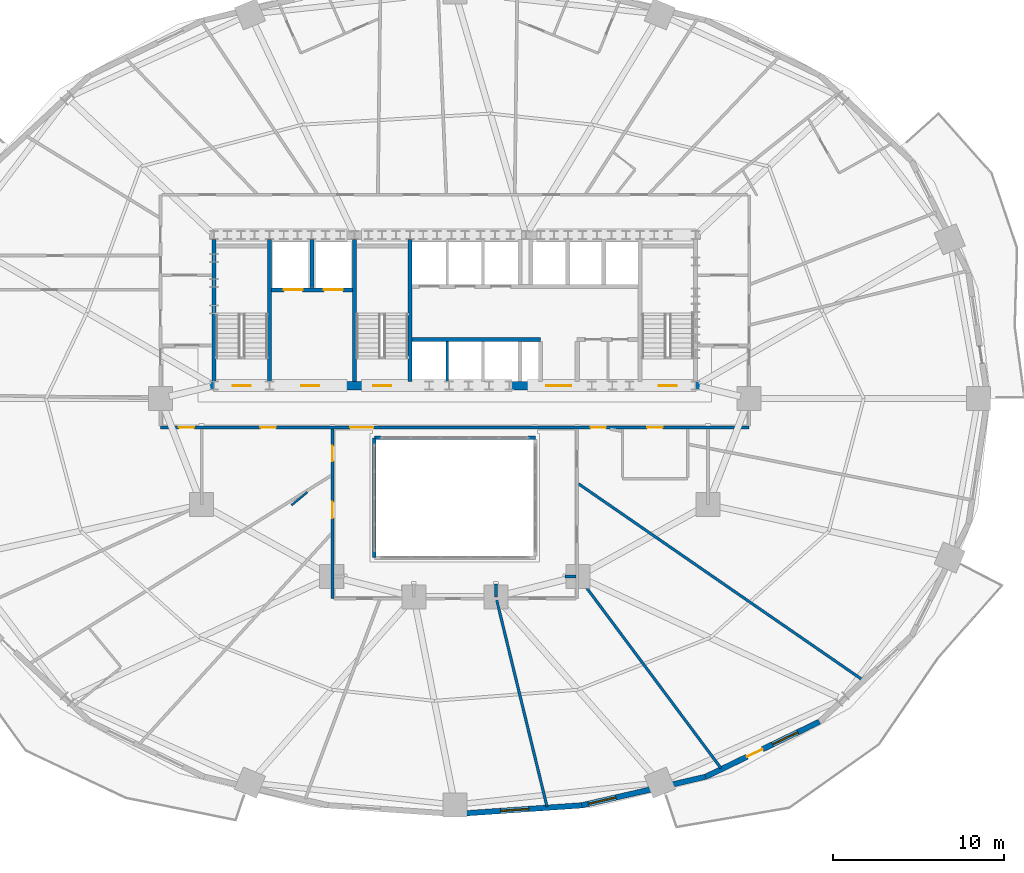
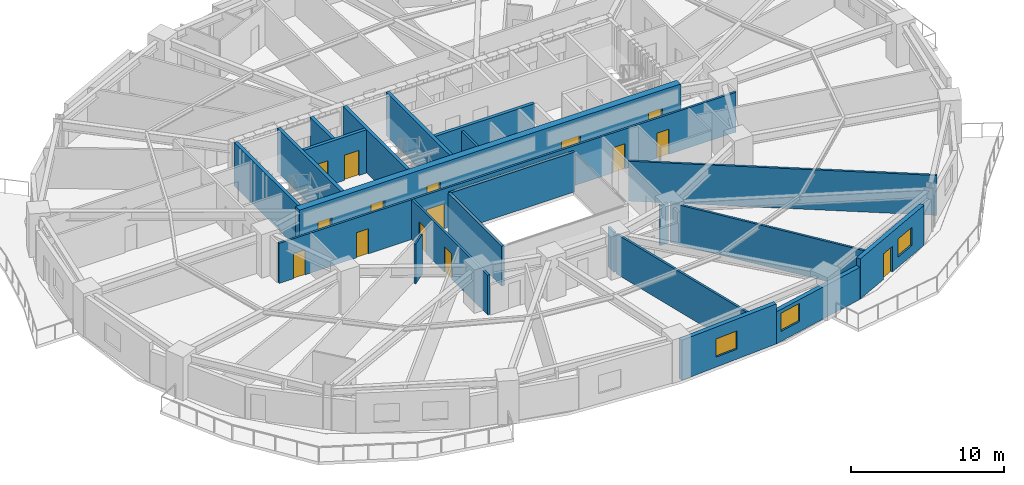
# One storey, part 9 of 16: 22 walls, 15 doors, 3 windows, 18 openings.
"""IFC4 building model written with IfcOpenShell, lengths in metres."""

from ifc_helpers import new_model, si_unit, direction, frame, frame_2d, origin, place, context, subcontext, project, spatial, rectangle, extrude, material, layer, layer_set, type_object, element, fill, save


model = new_model("IFC4")

# Units and contexts
model_context = context("Model", 3, precision=1e-05, world=origin(), true_north=direction((0.0, 1.0)))
body_context = subcontext(model_context, "Body", "Model", "MODEL_VIEW")
ifc_project = project(units=[si_unit("LENGTHUNIT", "METRE"), si_unit("AREAUNIT", "SQUARE_METRE"), si_unit("VOLUMEUNIT", "CUBIC_METRE"), si_unit("PLANEANGLEUNIT", "RADIAN"), si_unit("MASSUNIT", "GRAM", prefix="KILO")], contexts=[model_context])

# Site, building, storey
site_placement = place(None, origin())
site = spatial("IfcSite", under=ifc_project, at=site_placement, CompositionType="ELEMENT")
building_placement = place(site_placement, origin())
building = spatial("IfcBuilding", under=site, at=building_placement, Name="Haldorwick Loom Tower", CompositionType="ELEMENT")
storey_placement = place(building_placement, frame((0.0, 0.0, 68.85009765625)))
storey = spatial("IfcBuildingStorey", under=building, at=storey_placement, Name="L18", CompositionType="ELEMENT", Elevation=68.85009765625)

# Wall, opening, window
ifc_material_1 = material(Name="Pressed Clay Face Brick and Insulated Masonry Backup Assembly", Category="masonry")
ifc_layer_1 = layer(ifc_material_1, 0.320068359375, Name="Pressed Clay Face Brick and Insulated Masonry Backup Assembly", Category="masonry")
ifc_layer_set_1 = layer_set([ifc_layer_1], Name="Pressed Clay Face Brick and Insulated Masonry Backup Assembly")
wall_type_1 = type_object("IfcWallType", Name="ARC-WL-EXT320", PredefinedType="STANDARD", material=ifc_layer_set_1)
wall_1_placement = place(storey_placement, frame((36.0, 1.7099609375, 0.0), z_axis=(0.0, 0.0, 1.0), x_axis=(0.997645161917, 0.068586667092, 0.0)))
wall_1 = element("IfcWall", 1, at=wall_1_placement, inside=storey, type_object=wall_type_1, Name="L18 Brick Pier and Spandrel Wall 19", PredefinedType="STANDARD", context=body_context, shape_type="SweptSolid", body=[
    extrude(rectangle(XDim=7.428955078125, YDim=0.320068359375, at=frame_2d((3.71435546875, 0.0))), origin(), (0.0, 0.0, 1.0), 3.18994140625),
])
opening_1_placement = place(wall_1_placement, frame((2.679443359375, 0.0, 0.800048828125)))
opening_1 = element("IfcOpeningElement", 2, at=opening_1_placement, cuts=wall_1, Name="Opening W-01B", PredefinedType="OPENING", context=body_context, shape_type="SweptSolid", body=[
    extrude(rectangle(XDim=1.64990234375, YDim=1.449951171875, at=frame_2d((0.824951171875, 0.72509765625))), frame((0.0, 0.169921875, 0.0), z_axis=(0.0, -1.0, 0.0), x_axis=(1.0, 0.0, 0.0)), (0.0, 0.0, 1.0), 0.340087890625),
])
ifc_material_2 = material(Name="Triple-Glazed Low-E Argon Insulated Glazing Unit", Category="glass")
window_type = type_object("IfcWindowType", Name="ARC-WIN-W165", PartitioningType="SINGLE_PANEL", PredefinedType="WINDOW", material=ifc_material_2)
window_1_placement = place(opening_1_placement, origin())
window_1 = element("IfcWindow", 3, at=window_1_placement, inside=storey, type_object=window_type, Name="L18 Deep-Set Zone 7A Window 19", OverallHeight=1.449951171875, OverallWidth=1.64990234375, PartitioningType="SINGLE_PANEL", PredefinedType="WINDOW", context=body_context, shape_type="SweptSolid", body=[
    extrude(rectangle(XDim=1.64990234375, YDim=1.449951171875, at=frame_2d((0.824951171875, 0.72509765625))), frame((0.0, 0.030029296875, 0.0), z_axis=(0.0, -1.0, 0.0), x_axis=(1.0, 0.0, 0.0)), (0.0, 0.0, 1.0), 0.06005859375),
])
fill(opening_1, window_1)

wall_2_placement = place(storey_placement, frame((43.411376953125, 2.219482421875, 0.0), z_axis=(0.0, 0.0, 1.0), x_axis=(0.974522412345, 0.224290142088, 0.0)))
wall_2 = element("IfcWall", 4, at=wall_2_placement, inside=storey, type_object=wall_type_1, Name="L18 Brick Pier and Spandrel Wall 20", PredefinedType="STANDARD", context=body_context, shape_type="SweptSolid", body=[
    extrude(rectangle(XDim=7.422607421875, YDim=0.320068359375, at=frame_2d((3.71142578125, 0.0))), origin(), (0.0, 0.0, 1.0), 2.548828125),
])
opening_2_placement = place(wall_2_placement, frame((0.39990234375, 0.0, 0.800048828125)))
opening_2 = element("IfcOpeningElement", 5, at=opening_2_placement, cuts=wall_2, Name="Opening W-01B", PredefinedType="OPENING", context=body_context, shape_type="SweptSolid", body=[
    extrude(rectangle(XDim=1.64990234375, YDim=1.449951171875, at=frame_2d((0.824951171875, 0.72509765625))), frame((0.0, 0.169921875, 0.0), z_axis=(0.0, -1.0, 0.0), x_axis=(1.0, 0.0, 0.0)), (0.0, 0.0, 1.0), 0.340087890625),
])
window_2_placement = place(opening_2_placement, origin())
window_2 = element("IfcWindow", 6, at=window_2_placement, inside=storey, type_object=window_type, Name="L18 Deep-Set Zone 7A Window 20", OverallHeight=1.449951171875, OverallWidth=1.64990234375, PartitioningType="SINGLE_PANEL", PredefinedType="WINDOW", context=body_context, shape_type="SweptSolid", body=[
    extrude(rectangle(XDim=1.64990234375, YDim=1.449951171875, at=frame_2d((0.824951171875, 0.72509765625))), frame((0.0, 0.030029296875, 0.0), z_axis=(0.0, -1.0, 0.0), x_axis=(1.0, 0.0, 0.0)), (0.0, 0.0, 1.0), 0.06005859375),
])
fill(opening_2, window_2)

# Wall, openings, door, window
wall_3_placement = place(storey_placement, frame((50.644775390625, 3.88427734375, 0.0), z_axis=(0.0, 0.0, 1.0), x_axis=(0.900295710431, 0.435278800057, 0.0)))
wall_3 = element("IfcWall", 7, at=wall_3_placement, inside=storey, type_object=wall_type_1, Name="L18 Brick Pier and Spandrel Wall 21", PredefinedType="STANDARD", context=body_context, shape_type="SweptSolid", body=[
    extrude(rectangle(XDim=7.39697265625, YDim=0.320068359375, at=frame_2d((3.698486328125, 0.0))), origin(), (0.0, 0.0, 1.0), 3.18994140625),
])
opening_3_placement = place(wall_3_placement, frame((2.705322265625, 0.0, 0.0)))
opening_3 = element("IfcOpeningElement", 8, at=opening_3_placement, cuts=wall_3, Name="Opening D-BL10", PredefinedType="OPENING", context=body_context, shape_type="SweptSolid", body=[
    extrude(rectangle(XDim=1.0, YDim=2.0400390625, at=frame_2d((0.5, 1.02001953125))), frame((0.0, 0.169921875, 0.0), z_axis=(0.0, -1.0, 0.0), x_axis=(1.0, 0.0, 0.0)), (0.0, 0.0, 1.0), 0.340087890625),
])
opening_4_placement = place(wall_3_placement, frame((4.352783203125, 0.0, 0.800048828125)))
opening_4 = element("IfcOpeningElement", 9, at=opening_4_placement, cuts=wall_3, Name="Opening W-01B", PredefinedType="OPENING", context=body_context, shape_type="SweptSolid", body=[
    extrude(rectangle(XDim=1.64990234375, YDim=1.449951171875, at=frame_2d((0.824951171875, 0.72509765625))), frame((0.0, 0.169921875, 0.0), z_axis=(0.0, -1.0, 0.0), x_axis=(1.0, 0.0, 0.0)), (0.0, 0.0, 1.0), 0.340087890625),
])
ifc_material_3 = material(Name="Thermally Broken Anodized Aluminium Curtain Wall Framing", Category="aluminium")
door_type_1 = type_object("IfcDoorType", Name="ARC-DR-BAL100", OperationType="NOTDEFINED", PredefinedType="DOOR", material=ifc_material_3)
door_1_placement = place(opening_3_placement, origin())
door_1 = element("IfcDoor", 10, at=door_1_placement, inside=storey, type_object=door_type_1, Name="L18 Outdoor Terrace Door SLB-L18-BAL_SE", OperationType="SINGLE_SWING_RIGHT", OverallHeight=2.0400390625, OverallWidth=1.0, PredefinedType="DOOR", context=body_context, shape_type="SweptSolid", body=[
    extrude(rectangle(XDim=1.0, YDim=2.0400390625, at=frame_2d((0.5, 1.02001953125))), frame((0.0, 0.02490234375, 0.0), z_axis=(0.0, -1.0, 0.0), x_axis=(1.0, 0.0, 0.0)), (0.0, 0.0, 1.0), 0.050048828125),
])
fill(opening_3, door_1)
window_3_placement = place(opening_4_placement, origin())
window_3 = element("IfcWindow", 11, at=window_3_placement, inside=storey, type_object=window_type, Name="L18 Deep-Set Zone 7A Window 21", OverallHeight=1.449951171875, OverallWidth=1.64990234375, PartitioningType="SINGLE_PANEL", PredefinedType="WINDOW", context=body_context, shape_type="SweptSolid", body=[
    extrude(rectangle(XDim=1.64990234375, YDim=1.449951171875, at=frame_2d((0.824951171875, 0.72509765625))), frame((0.0, 0.030029296875, 0.0), z_axis=(0.0, -1.0, 0.0), x_axis=(1.0, 0.0, 0.0)), (0.0, 0.0, 1.0), 0.06005859375),
])
fill(opening_4, window_3)

# Wall, openings, doors
ifc_material_4 = material(Name="Fire-Rated Type X Gypsum Stud Assembly EI 60")
ifc_layer_2 = layer(ifc_material_4, 0.159912109375, Name="Fire-Rated Type X Gypsum Stud Assembly EI 60")
ifc_layer_set_2 = layer_set([ifc_layer_2], Name="Fire-Rated Type X Gypsum Stud Assembly EI 60")
wall_type_2 = type_object("IfcWallType", Name="ARC-WL-FIRE160", PredefinedType="PARTITIONING", material=ifc_layer_set_2)
wall_4_placement = place(storey_placement, frame((18.800048828125, 24.300048828125, 0.0), z_axis=(0.0, 0.0, 1.0), x_axis=(1.0, 0.0, 0.0)))
wall_4 = element("IfcWall", 12, at=wall_4_placement, inside=storey, type_object=wall_type_2, Name="L18 Residential Fire Partition L18-CR-SP", PredefinedType="PARTITIONING", context=body_context, shape_type="SweptSolid", body=[
    extrude(rectangle(XDim=34.39990234375, YDim=0.159912109375, at=frame_2d((17.199951171875, 0.0))), origin(), (0.0, 0.0, 1.0), 3.1748046875),
])
opening_5_placement = place(wall_4_placement, frame((11.085693359375, 0.0, 0.0)))
opening_5 = element("IfcOpeningElement", 13, at=opening_5_placement, cuts=wall_4, Name="Opening D-CR15", PredefinedType="OPENING", context=body_context, shape_type="SweptSolid", body=[
    extrude(rectangle(XDim=1.35009765625, YDim=2.0, at=frame_2d((0.675048828125, 1.0))), frame((0.0, 0.08984375, 0.0), z_axis=(0.0, -1.0, 0.0), x_axis=(1.0, 0.0, 0.0)), (0.0, 0.0, 1.0), 0.179931640625),
])
opening_6_placement = place(wall_4_placement, frame((5.834716796875, 0.0, 0.0)))
opening_6 = element("IfcOpeningElement", 14, at=opening_6_placement, cuts=wall_4, Name="Opening D-FD60A", PredefinedType="OPENING", context=body_context, shape_type="SweptSolid", body=[
    extrude(rectangle(XDim=0.89990234375, YDim=2.0, at=frame_2d((0.449951171875, 1.0))), frame((0.0, 0.08984375, 0.0), z_axis=(0.0, -1.0, 0.0), x_axis=(1.0, 0.0, 0.0)), (0.0, 0.0, 1.0), 0.179931640625),
])
opening_7_placement = place(wall_4_placement, frame((28.437255859375, 0.0, 0.0)))
opening_7 = element("IfcOpeningElement", 15, at=opening_7_placement, cuts=wall_4, Name="Opening D-FD60A", PredefinedType="OPENING", context=body_context, shape_type="SweptSolid", body=[
    extrude(rectangle(XDim=0.89990234375, YDim=2.0, at=frame_2d((0.449951171875, 1.0))), frame((0.0, 0.08984375, 0.0), z_axis=(0.0, -1.0, 0.0), x_axis=(1.0, 0.0, 0.0)), (0.0, 0.0, 1.0), 0.179931640625),
])
opening_8_placement = place(wall_4_placement, frame((25.12939453125, 0.0, 0.0)))
opening_8 = element("IfcOpeningElement", 16, at=opening_8_placement, cuts=wall_4, Name="Opening D-FD60A", PredefinedType="OPENING", context=body_context, shape_type="SweptSolid", body=[
    extrude(rectangle(XDim=0.89990234375, YDim=2.0, at=frame_2d((0.449951171875, 1.0))), frame((0.0, 0.08984375, 0.0), z_axis=(0.0, -1.0, 0.0), x_axis=(1.0, 0.0, 0.0)), (0.0, 0.0, 1.0), 0.179931640625),
])
opening_9_placement = place(wall_4_placement, frame((1.063232421875, 0.0, 0.0)))
opening_9 = element("IfcOpeningElement", 17, at=opening_9_placement, cuts=wall_4, Name="Opening D-FD60A", PredefinedType="OPENING", context=body_context, shape_type="SweptSolid", body=[
    extrude(rectangle(XDim=0.89990234375, YDim=2.0, at=frame_2d((0.449951171875, 1.0))), frame((0.0, 0.08984375, 0.0), z_axis=(0.0, -1.0, 0.0), x_axis=(1.0, 0.0, 0.0)), (0.0, 0.0, 1.0), 0.179931640625),
])
ifc_material_5 = material(Name="Thermally Broken Anodized Aluminium and Tempered Glass", Category="aluminium")
door_type_2 = type_object("IfcDoorType", Name="ARC-DR-COR150", OperationType="NOTDEFINED", PredefinedType="DOOR", material=ifc_material_5)
door_2_placement = place(opening_5_placement, origin())
door_2 = element("IfcDoor", 18, at=door_2_placement, inside=storey, type_object=door_type_2, Name="L18 L18 Central Residential Corridor to L18 South Atrium Corridor Door", OperationType="DOUBLE_DOOR_SINGLE_SWING", OverallHeight=2.0, OverallWidth=1.35009765625, PredefinedType="DOOR", context=body_context, shape_type="SweptSolid", body=[
    extrude(rectangle(XDim=1.35009765625, YDim=2.0, at=frame_2d((0.675048828125, 1.0))), frame((0.0, 0.02490234375, 0.0), z_axis=(0.0, -1.0, 0.0), x_axis=(1.0, 0.0, 0.0)), (0.0, 0.0, 1.0), 0.050048828125),
])
fill(opening_5, door_2)
ifc_material_6 = material(Name="Hollow Steel Fire Door Assembly", Category="steel")
door_type_3 = type_object("IfcDoorType", Name="ARC-DR-FD60-90", OperationType="NOTDEFINED", PredefinedType="DOOR", material=ifc_material_6)
door_3_placement = place(opening_6_placement, origin())
door_3 = element("IfcDoor", 19, at=door_3_placement, inside=storey, type_object=door_type_3, Name="L18 L18 Central Residential Corridor to Community Library Hall 4 Door", OperationType="SINGLE_SWING_LEFT", OverallHeight=2.0, OverallWidth=0.89990234375, PredefinedType="DOOR", context=body_context, shape_type="SweptSolid", body=[
    extrude(rectangle(XDim=0.89990234375, YDim=2.0, at=frame_2d((0.449951171875, 1.0))), frame((0.0, 0.02490234375, 0.0), z_axis=(0.0, -1.0, 0.0), x_axis=(1.0, 0.0, 0.0)), (0.0, 0.0, 1.0), 0.050048828125),
])
fill(opening_6, door_3)
door_4_placement = place(opening_7_placement, origin())
door_4 = element("IfcDoor", 20, at=door_4_placement, inside=storey, type_object=door_type_3, Name="L18 L18 Central Residential Corridor to Common Accessible WC Door", OperationType="SINGLE_SWING_LEFT", OverallHeight=2.0, OverallWidth=0.89990234375, PredefinedType="DOOR", context=body_context, shape_type="SweptSolid", body=[
    extrude(rectangle(XDim=0.89990234375, YDim=2.0, at=frame_2d((0.449951171875, 1.0))), frame((0.0, 0.02490234375, 0.0), z_axis=(0.0, -1.0, 0.0), x_axis=(1.0, 0.0, 0.0)), (0.0, 0.0, 1.0), 0.050048828125),
])
fill(opening_7, door_4)
door_5_placement = place(opening_8_placement, origin())
door_5 = element("IfcDoor", 21, at=door_5_placement, inside=storey, type_object=door_type_3, Name="L18 L18 Central Residential Corridor to Community Library Hall 19 Door", OperationType="SINGLE_SWING_RIGHT", OverallHeight=2.0, OverallWidth=0.89990234375, PredefinedType="DOOR", context=body_context, shape_type="SweptSolid", body=[
    extrude(rectangle(XDim=0.89990234375, YDim=2.0, at=frame_2d((0.449951171875, 1.0))), frame((0.0, 0.02490234375, 0.0), z_axis=(0.0, -1.0, 0.0), x_axis=(1.0, 0.0, 0.0)), (0.0, 0.0, 1.0), 0.050048828125),
])
fill(opening_8, door_5)
door_6_placement = place(opening_9_placement, origin())
door_6 = element("IfcDoor", 22, at=door_6_placement, inside=storey, type_object=door_type_3, Name="L18 L18 Central Residential Corridor to Community Library Hall 2 Door", OperationType="SINGLE_SWING_LEFT", OverallHeight=2.0, OverallWidth=0.89990234375, PredefinedType="DOOR", context=body_context, shape_type="SweptSolid", body=[
    extrude(rectangle(XDim=0.89990234375, YDim=2.0, at=frame_2d((0.449951171875, 1.0))), frame((0.0, 0.02490234375, 0.0), z_axis=(0.0, -1.0, 0.0), x_axis=(1.0, 0.0, 0.0)), (0.0, 0.0, 1.0), 0.050048828125),
])
fill(opening_9, door_6)

wall_5_placement = place(storey_placement, frame((28.85009765625, 14.300048828125, 0.0), z_axis=(0.0, 0.0, 1.0), x_axis=(0.0, 1.0, 0.0)))
wall_5 = element("IfcWall", 23, at=wall_5_placement, inside=storey, type_object=wall_type_2, Name="L18 Residential Fire Partition L18-CR-AW", PredefinedType="PARTITIONING", context=body_context, shape_type="SweptSolid", body=[
    extrude(rectangle(XDim=9.9169921875, YDim=0.159912109375, at=frame_2d((4.95849609375, 0.0))), origin(), (0.0, 0.0, 1.0), 3.1748046875),
])
opening_10_placement = place(wall_5_placement, frame((4.703857421875, 0.0, 0.0)))
opening_10 = element("IfcOpeningElement", 24, at=opening_10_placement, cuts=wall_5, Name="Opening D-FL95", PredefinedType="OPENING", context=body_context, shape_type="SweptSolid", body=[
    extrude(rectangle(XDim=0.949951171875, YDim=2.0400390625, at=frame_2d((0.47509765625, 1.02001953125))), frame((0.0, 0.08984375, 0.0), z_axis=(0.0, -1.0, 0.0), x_axis=(1.0, 0.0, 0.0)), (0.0, 0.0, 1.0), 0.179931640625),
])
opening_11_placement = place(wall_5_placement, frame((8.034423828125, 0.0, 0.0)))
opening_11 = element("IfcOpeningElement", 25, at=opening_11_placement, cuts=wall_5, Name="Opening D-FD60A", PredefinedType="OPENING", context=body_context, shape_type="SweptSolid", body=[
    extrude(rectangle(XDim=0.89990234375, YDim=2.0, at=frame_2d((0.449951171875, 1.0))), frame((0.0, 0.08984375, 0.0), z_axis=(0.0, -1.0, 0.0), x_axis=(1.0, 0.0, 0.0)), (0.0, 0.0, 1.0), 0.179931640625),
])
door_7_placement = place(opening_11_placement, frame((0.89990234375, 0.0, 0.0), z_axis=(0.0, 0.0, 1.0), x_axis=(-1.0, 0.0, 0.0)))
door_7 = element("IfcDoor", 26, at=door_7_placement, inside=storey, type_object=door_type_3, Name="L18 Community Library Hall 4 to L18 South Atrium Corridor Door", OperationType="SINGLE_SWING_RIGHT", OverallHeight=2.0, OverallWidth=0.89990234375, PredefinedType="DOOR", context=body_context, shape_type="SweptSolid", body=[
    extrude(rectangle(XDim=0.89990234375, YDim=2.0, at=frame_2d((0.449951171875, 1.0))), frame((0.0, 0.02490234375, 0.0), z_axis=(0.0, -1.0, 0.0), x_axis=(1.0, 0.0, 0.0)), (0.0, 0.0, 1.0), 0.050048828125),
])
fill(opening_11, door_7)
ifc_material_7 = material(Name="Solid Core Birch Architectural Door")
door_type_4 = type_object("IfcDoorType", Name="ARC-DR-FLAT95", OperationType="NOTDEFINED", PredefinedType="DOOR", material=ifc_material_7)
door_8_placement = place(opening_10_placement, frame((0.949951171875, 0.0, 0.0), z_axis=(0.0, 0.0, 1.0), x_axis=(-1.0, 0.0, 0.0)))
door_8 = element("IfcDoor", 27, at=door_8_placement, inside=storey, type_object=door_type_4, Name="L18 Unit 18H Kitchen and Studio Living Room to L18 South Atrium Corridor", OperationType="SINGLE_SWING_RIGHT", OverallHeight=2.0400390625, OverallWidth=0.949951171875, PredefinedType="DOOR", context=body_context, shape_type="SweptSolid", body=[
    extrude(rectangle(XDim=0.949951171875, YDim=2.0400390625, at=frame_2d((0.47509765625, 1.02001953125))), frame((0.0, 0.02490234375, 0.0), z_axis=(0.0, -1.0, 0.0), x_axis=(1.0, 0.0, 0.0)), (0.0, 0.0, 1.0), 0.050048828125),
])
fill(opening_10, door_8)

# Walls
wall_6_placement = place(storey_placement, frame((43.23291015625, 15.5556640625, 0.0), z_axis=(0.0, 0.0, 1.0), x_axis=(0.597561371266, -0.801823177247, 0.0)))
element("IfcWall", 28, at=wall_6_placement, inside=storey, type_object=wall_type_2, Name="L18 Residential Fire Partition L18-ICR-03", PredefinedType="PARTITIONING", context=body_context, shape_type="SweptSolid", body=[
    extrude(rectangle(XDim=13.919677734375, YDim=0.159912109375, at=frame_2d((6.9599609375, 0.0))), origin(), (0.0, 0.0, 1.0), 3.1748046875),
])
wall_7_placement = place(storey_placement, frame((38.444580078125, 14.217041015625, 0.0), z_axis=(0.0, 0.0, 1.0), x_axis=(0.236659428626, -0.9715926692, 0.0)))
element("IfcWall", 29, at=wall_7_placement, inside=storey, type_object=wall_type_2, Name="L18 Residential Fire Partition L18-ICR-05", PredefinedType="PARTITIONING", context=body_context, shape_type="SweptSolid", body=[
    extrude(rectangle(XDim=12.4248046875, YDim=0.159912109375, at=frame_2d((6.21240234375, 0.0))), origin(), (0.0, 0.0, 1.0), 3.1748046875),
])
wall_8_placement = place(storey_placement, frame((42.449951171875, 15.60009765625, 0.0), z_axis=(0.0, 0.0, 1.0), x_axis=(1.0, 0.0, 0.0)))
element("IfcWall", 30, at=wall_8_placement, inside=storey, type_object=wall_type_2, Name="L18 Residential Fire Partition L18-ICA-02", PredefinedType="PARTITIONING", context=body_context, shape_type="SweptSolid", body=[
    extrude(rectangle(XDim=0.616943359375, YDim=0.159912109375, at=frame_2d((0.30859375, 0.0))), origin(), (0.0, 0.0, 1.0), 3.1748046875),
])
wall_9_placement = place(storey_placement, frame((38.39990234375, 15.14990234375, 0.0), z_axis=(0.0, 0.0, 1.0), x_axis=(0.0, -1.0, 0.0)))
element("IfcWall", 31, at=wall_9_placement, inside=storey, type_object=wall_type_2, Name="L18 Residential Fire Partition L18-ICA-04", PredefinedType="PARTITIONING", context=body_context, shape_type="SweptSolid", body=[
    extrude(rectangle(XDim=0.75, YDim=0.159912109375, at=frame_2d((0.375, 0.0))), origin(), (0.0, 0.0, 1.0), 3.1748046875),
])
wall_10_placement = place(storey_placement, frame((43.23291015625, 21.007080078125, 0.0), z_axis=(0.0, 0.0, 1.0), x_axis=(0.822966151664, -0.568090409367, 0.0)))
element("IfcWall", 32, at=wall_10_placement, inside=storey, type_object=wall_type_2, Name="L18 Suite Split Wall", PredefinedType="PARTITIONING", context=body_context, shape_type="SweptSolid", body=[
    extrude(rectangle(XDim=20.171142578125, YDim=0.159912109375, at=frame_2d((10.08544921875, 0.0))), origin(), (0.0, 0.0, 1.0), 3.1748046875),
])
ifc_material_8 = material(Name="Fire-Rated Type X Gypsum Stud Assembly EI 120")
ifc_layer_3 = layer(ifc_material_8, 0.199951171875, Name="Fire-Rated Type X Gypsum Stud Assembly EI 120")
ifc_layer_set_3 = layer_set([ifc_layer_3], Name="Fire-Rated Type X Gypsum Stud Assembly EI 120")
wall_type_3 = type_object("IfcWallType", Name="ARC-WL-FIRE200", PredefinedType="PARTITIONING", material=ifc_layer_set_3)
wall_11_placement = place(storey_placement, frame((31.300048828125, 23.699951171875, 0.0), z_axis=(0.0, 0.0, 1.0), x_axis=(1.0, 0.0, 0.0)))
element("IfcWall", 33, at=wall_11_placement, inside=storey, type_object=wall_type_3, Name="L18 Atrium Fire Enclosure Wall N", PredefinedType="PARTITIONING", context=body_context, shape_type="SweptSolid", body=[
    extrude(rectangle(XDim=9.39990234375, YDim=0.199951171875, at=frame_2d((4.699951171875, 0.0))), origin(), (0.0, 0.0, 1.0), 3.1748046875),
])
wall_12_placement = place(storey_placement, frame((31.300048828125, 16.699951171875, 0.0), z_axis=(0.0, 0.0, 1.0), x_axis=(0.0, 1.0, 0.0)))
element("IfcWall", 34, at=wall_12_placement, inside=storey, type_object=wall_type_3, Name="L18 Atrium Fire Enclosure Wall W", PredefinedType="PARTITIONING", context=body_context, shape_type="SweptSolid", body=[
    extrude(rectangle(XDim=7.0, YDim=0.199951171875, at=frame_2d((3.5, 0.0))), origin(), (0.0, 0.0, 1.0), 3.1748046875),
])
ifc_material_9 = material(Name="Acoustic Gypsum Stud Assembly STC 55")
ifc_layer_4 = layer(ifc_material_9, 0.1201171875, Name="Acoustic Gypsum Stud Assembly STC 55")
ifc_layer_set_4 = layer_set([ifc_layer_4], Name="Acoustic Gypsum Stud Assembly STC 55")
wall_type_4 = type_object("IfcWallType", Name="ARC-WL-PART120", PredefinedType="PARTITIONING", material=ifc_layer_set_4)
wall_13_placement = place(storey_placement, frame((27.38330078125, 20.527099609375, 0.0), z_axis=(0.0, 0.0, 1.0), x_axis=(-0.771567296753, -0.636147708148, 0.0)))
element("IfcWall", 35, at=wall_13_placement, inside=storey, type_object=wall_type_4, Name="L18 Unit 18H Interior Partition", PredefinedType="PARTITIONING", context=body_context, shape_type="SweptSolid", body=[
    extrude(rectangle(XDim=1.204345703125, YDim=0.1201171875, at=frame_2d((0.60205078125, 0.0))), origin(), (0.0, 0.0, 1.0), 3.1748046875),
])
ifc_layer_5 = layer(ifc_material_8, 0.1650390625, Name="Fire-Rated Type X Gypsum Stud Assembly EI 120")
ifc_layer_set_5 = layer_set([ifc_layer_5], Name="Fire-Rated Type X Gypsum Stud Assembly EI 120")
wall_type_5 = type_object("IfcWallType", Name="ARC-WL-SHAFT160", PredefinedType="MOVABLE", material=ifc_layer_set_5)
wall_14_placement = place(storey_placement, frame((35.550048828125, 27.0029296875, 0.0), z_axis=(0.0, 0.0, 1.0), x_axis=(0.0, 1.0, 0.0)))
element("IfcWall", 36, at=wall_14_placement, inside=storey, type_object=wall_type_5, Name="L18 Mid-Rise Hoistway Divider 1", PredefinedType="MOVABLE", context=body_context, shape_type="SweptSolid", body=[
    extrude(rectangle(XDim=2.323974609375, YDim=0.159912109375, at=frame_2d((1.162109375, 0.0))), origin(), (0.0, 0.0, 1.0), 3.1748046875),
])

# Wall, openings, doors
ifc_material_10 = material(Name="Concrete C60 (60 MPa)", Category="concrete")
ifc_layer_6 = layer(ifc_material_10, 0.5, Name="Concrete C60 (60 MPa)", Category="concrete")
ifc_layer_set_6 = layer_set([ifc_layer_6], Name="Concrete C60 (60 MPa)")
wall_type_6 = type_object("IfcWallType", Name="STR-WL-CORE500", PredefinedType="SHEAR", material=ifc_layer_set_6)
wall_15_placement = place(storey_placement, frame((21.64990234375, 26.75, 0.0), z_axis=(0.0, 0.0, 1.0), x_axis=(1.0, 0.0, 0.0)))
wall_15 = element("IfcWall", 37, at=wall_15_placement, inside=storey, type_object=wall_type_6, Name="L18 Core Shear Wall S", PredefinedType="SHEAR", context=body_context, shape_type="SweptSolid", body=[
    extrude(rectangle(XDim=28.7001953125, YDim=0.5, at=frame_2d((14.35009765625, 0.0))), origin(), (0.0, 0.0, 1.0), 3.449951171875),
])
opening_12_placement = place(wall_15_placement, frame((1.375, 0.0, 0.0)))
opening_12 = element("IfcOpeningElement", 38, at=opening_12_placement, cuts=wall_15, Name="Opening D-FD60", PredefinedType="OPENING", context=body_context, shape_type="SweptSolid", body=[
    extrude(rectangle(XDim=1.050048828125, YDim=2.0, at=frame_2d((0.52490234375, 1.0))), frame((0.0, 0.260009765625, 0.0), z_axis=(0.0, -1.0, 0.0), x_axis=(1.0, 0.0, 0.0)), (0.0, 0.0, 1.0), 0.52001953125),
])
opening_13_placement = place(wall_15_placement, frame((5.375, 0.0, 0.0)))
opening_13 = element("IfcOpeningElement", 39, at=opening_13_placement, cuts=wall_15, Name="Opening D-FD60", PredefinedType="OPENING", context=body_context, shape_type="SweptSolid", body=[
    extrude(rectangle(XDim=1.050048828125, YDim=2.0, at=frame_2d((0.52490234375, 1.0))), frame((0.0, 0.260009765625, 0.0), z_axis=(0.0, -1.0, 0.0), x_axis=(1.0, 0.0, 0.0)), (0.0, 0.0, 1.0), 0.52001953125),
])
opening_14_placement = place(wall_15_placement, frame((9.574951171875, 0.0, 0.0)))
opening_14 = element("IfcOpeningElement", 40, at=opening_14_placement, cuts=wall_15, Name="Opening D-FD60", PredefinedType="OPENING", context=body_context, shape_type="SweptSolid", body=[
    extrude(rectangle(XDim=1.050048828125, YDim=2.0, at=frame_2d((0.52490234375, 1.0))), frame((0.0, 0.260009765625, 0.0), z_axis=(0.0, -1.0, 0.0), x_axis=(1.0, 0.0, 0.0)), (0.0, 0.0, 1.0), 0.52001953125),
])
opening_15_placement = place(wall_15_placement, frame((19.705078125, 0.0, 0.0)))
opening_15 = element("IfcOpeningElement", 41, at=opening_15_placement, cuts=wall_15, Name="Opening D-LB15", PredefinedType="OPENING", context=body_context, shape_type="SweptSolid", body=[
    extrude(rectangle(XDim=1.449951171875, YDim=2.0, at=frame_2d((0.72509765625, 1.0))), frame((0.0, 0.260009765625, 0.0), z_axis=(0.0, -1.0, 0.0), x_axis=(1.0, 0.0, 0.0)), (0.0, 0.0, 1.0), 0.52001953125),
])
opening_16_placement = place(wall_15_placement, frame((26.27490234375, 0.0, 0.0)))
opening_16 = element("IfcOpeningElement", 42, at=opening_16_placement, cuts=wall_15, Name="Opening D-FD60", PredefinedType="OPENING", context=body_context, shape_type="SweptSolid", body=[
    extrude(rectangle(XDim=1.050048828125, YDim=2.0, at=frame_2d((0.52490234375, 1.0))), frame((0.0, 0.260009765625, 0.0), z_axis=(0.0, -1.0, 0.0), x_axis=(1.0, 0.0, 0.0)), (0.0, 0.0, 1.0), 0.52001953125),
])
door_type_5 = type_object("IfcDoorType", Name="ARC-DR-FD60", OperationType="NOTDEFINED", PredefinedType="DOOR", material=ifc_material_6)
door_9_placement = place(opening_12_placement, origin())
door_9 = element("IfcDoor", 43, at=door_9_placement, inside=storey, type_object=door_type_5, Name="L18 Exit Stair ST-01 Fire Door", OperationType="SINGLE_SWING_RIGHT", OverallHeight=2.0, OverallWidth=1.050048828125, PredefinedType="DOOR", context=body_context, shape_type="SweptSolid", body=[
    extrude(rectangle(XDim=1.050048828125, YDim=2.0, at=frame_2d((0.52490234375, 1.0))), frame((0.0, 0.02490234375, 0.0), z_axis=(0.0, -1.0, 0.0), x_axis=(1.0, 0.0, 0.0)), (0.0, 0.0, 1.0), 0.050048828125),
])
fill(opening_12, door_9)
door_10_placement = place(opening_13_placement, origin())
door_10 = element("IfcDoor", 44, at=door_10_placement, inside=storey, type_object=door_type_5, Name="L18 Firefighting Lift Lobby Fire Door", OperationType="SINGLE_SWING_LEFT", OverallHeight=2.0, OverallWidth=1.050048828125, PredefinedType="DOOR", context=body_context, shape_type="SweptSolid", body=[
    extrude(rectangle(XDim=1.050048828125, YDim=2.0, at=frame_2d((0.52490234375, 1.0))), frame((0.0, 0.02490234375, 0.0), z_axis=(0.0, -1.0, 0.0), x_axis=(1.0, 0.0, 0.0)), (0.0, 0.0, 1.0), 0.050048828125),
])
fill(opening_13, door_10)
door_11_placement = place(opening_14_placement, origin())
door_11 = element("IfcDoor", 45, at=door_11_placement, inside=storey, type_object=door_type_5, Name="L18 Exit Stair ST-03 Fire Door", OperationType="SINGLE_SWING_LEFT", OverallHeight=2.0, OverallWidth=1.050048828125, PredefinedType="DOOR", context=body_context, shape_type="SweptSolid", body=[
    extrude(rectangle(XDim=1.050048828125, YDim=2.0, at=frame_2d((0.52490234375, 1.0))), frame((0.0, 0.02490234375, 0.0), z_axis=(0.0, -1.0, 0.0), x_axis=(1.0, 0.0, 0.0)), (0.0, 0.0, 1.0), 0.050048828125),
])
fill(opening_14, door_11)
door_12_placement = place(opening_16_placement, origin())
door_12 = element("IfcDoor", 46, at=door_12_placement, inside=storey, type_object=door_type_5, Name="L18 Exit Stair ST-02 Fire Door", OperationType="SINGLE_SWING_LEFT", OverallHeight=2.0, OverallWidth=1.050048828125, PredefinedType="DOOR", context=body_context, shape_type="SweptSolid", body=[
    extrude(rectangle(XDim=1.050048828125, YDim=2.0, at=frame_2d((0.52490234375, 1.0))), frame((0.0, 0.02490234375, 0.0), z_axis=(0.0, -1.0, 0.0), x_axis=(1.0, 0.0, 0.0)), (0.0, 0.0, 1.0), 0.050048828125),
])
fill(opening_16, door_12)
door_type_6 = type_object("IfcDoorType", Name="ARC-DR-LOB150", OperationType="NOTDEFINED", PredefinedType="DOOR", material=ifc_material_5)
door_13_placement = place(opening_15_placement, frame((1.449951171875, 0.0, 0.0), z_axis=(0.0, 0.0, 1.0), x_axis=(-1.0, 0.0, 0.0)))
door_13 = element("IfcDoor", 47, at=door_13_placement, inside=storey, type_object=door_type_6, Name="L18 Passenger Lift Lobby Fire Door", OperationType="DOUBLE_DOOR_SINGLE_SWING", OverallHeight=2.0, OverallWidth=1.449951171875, PredefinedType="DOOR", context=body_context, shape_type="SweptSolid", body=[
    extrude(rectangle(XDim=1.449951171875, YDim=2.0, at=frame_2d((0.72509765625, 1.0))), frame((0.0, 0.02490234375, 0.0), z_axis=(0.0, -1.0, 0.0), x_axis=(1.0, 0.0, 0.0)), (0.0, 0.0, 1.0), 0.050048828125),
])
fill(opening_15, door_13)

# Walls
ifc_material_11 = material(Name="Concrete C50 (50 MPa)", Category="concrete")
ifc_layer_7 = layer(ifc_material_11, 0.239990234375, Name="Concrete C50 (50 MPa)", Category="concrete")
ifc_layer_set_7 = layer_set([ifc_layer_7], Name="Concrete C50 (50 MPa)")
wall_type_7 = type_object("IfcWallType", Name="STR-WL-SHAFT240", PredefinedType="SHEAR", material=ifc_layer_set_7)
for number, where, z_axis, x_axis, name in (
    (48, (21.929931640625, 35.297119140625, 0.0), (0.0, 0.0, 1.0), (0.0, -1.0, 0.0), "L18 Core Shear Wall W"),
    (49, (25.169921875, 27.0029296875, 0.0), (0.0, 0.0, 1.0), (0.0, 1.0, 0.0), "L18 Core Shear Wall 1"),
    (50, (30.1298828125, 27.0029296875, 0.0), (0.0, 0.0, 1.0), (0.0, 1.0, 0.0), "L18 Core Shear Wall 2"),
    (51, (33.3701171875, 27.0029296875, 0.0), (0.0, 0.0, 1.0), (0.0, 1.0, 0.0), "L18 Core Shear Wall 3"),
):
    element("IfcWall", number, at=place(storey_placement, frame(where, z_axis=z_axis, x_axis=x_axis)), inside=storey, type_object=wall_type_7, Name=name, PredefinedType="SHEAR", context=body_context, shape_type="SweptSolid", body=[
        extrude(rectangle(XDim=8.294189453125, YDim=0.239990234375, at=frame_2d((4.14697265625, 0.0))), origin(), (0.0, 0.0, 1.0), 3.449951171875),
    ])

# Wall, openings, doors
wall_16_placement = place(storey_placement, frame((25.29296875, 32.35009765625, 0.0), z_axis=(0.0, 0.0, 1.0), x_axis=(1.0, 0.0, 0.0)))
wall_16 = element("IfcWall", 52, at=wall_16_placement, inside=storey, type_object=wall_type_7, Name="L18 Core Shear Wall FF", PredefinedType="SHEAR", context=body_context, shape_type="SweptSolid", body=[
    extrude(rectangle(XDim=4.714111328125, YDim=0.239990234375, at=frame_2d((2.35693359375, 0.0))), origin(), (0.0, 0.0, 1.0), 3.449951171875),
])
opening_17_placement = place(wall_16_placement, frame((0.70703125, 0.0, 0.0)))
opening_17 = element("IfcOpeningElement", 53, at=opening_17_placement, cuts=wall_16, Name="Opening LD-FF1", PredefinedType="OPENING", context=body_context, shape_type="SweptSolid", body=[
    extrude(rectangle(XDim=1.10009765625, YDim=2.0, at=frame_2d((0.550048828125, 1.0))), frame((0.0, 0.1298828125, 0.0), z_axis=(0.0, -1.0, 0.0), x_axis=(1.0, 0.0, 0.0)), (0.0, 0.0, 1.0), 0.260009765625),
])
opening_18_placement = place(wall_16_placement, frame((3.056884765625, 0.0, 0.0)))
opening_18 = element("IfcOpeningElement", 54, at=opening_18_placement, cuts=wall_16, Name="Opening LD-FF2", PredefinedType="OPENING", context=body_context, shape_type="SweptSolid", body=[
    extrude(rectangle(XDim=1.10009765625, YDim=2.0, at=frame_2d((0.550048828125, 1.0))), frame((0.0, 0.1298828125, 0.0), z_axis=(0.0, -1.0, 0.0), x_axis=(1.0, 0.0, 0.0)), (0.0, 0.0, 1.0), 0.260009765625),
])
door_type_7 = type_object("IfcDoorType", Name="ARC-DR-LD-FF", OperationType="NOTDEFINED", PredefinedType="USERDEFINED", material=ifc_material_6)
door_14_placement = place(opening_17_placement, origin())
door_14 = element("IfcDoor", 55, at=door_14_placement, inside=storey, type_object=door_type_7, Name="L18 Lift LF-FF1 Sliding Landing Door", ObjectType="LANDING DOOR", OperationType="DOUBLE_DOOR_SLIDING", OverallHeight=2.0, OverallWidth=1.10009765625, PredefinedType="USERDEFINED", context=body_context, shape_type="SweptSolid", body=[
    extrude(rectangle(XDim=1.10009765625, YDim=2.0, at=frame_2d((0.550048828125, 1.0))), frame((0.0, 0.02490234375, 0.0), z_axis=(0.0, -1.0, 0.0), x_axis=(1.0, 0.0, 0.0)), (0.0, 0.0, 1.0), 0.050048828125),
])
fill(opening_17, door_14)
door_15_placement = place(opening_18_placement, origin())
door_15 = element("IfcDoor", 56, at=door_15_placement, inside=storey, type_object=door_type_7, Name="L18 Lift LF-FF2 Sliding Landing Door", ObjectType="LANDING DOOR", OperationType="DOUBLE_DOOR_SLIDING", OverallHeight=2.0, OverallWidth=1.10009765625, PredefinedType="USERDEFINED", context=body_context, shape_type="SweptSolid", body=[
    extrude(rectangle(XDim=1.10009765625, YDim=2.0, at=frame_2d((0.550048828125, 1.0))), frame((0.0, 0.02490234375, 0.0), z_axis=(0.0, -1.0, 0.0), x_axis=(1.0, 0.0, 0.0)), (0.0, 0.0, 1.0), 0.050048828125),
])
fill(opening_18, door_15)

# Walls
wall_17_placement = place(storey_placement, frame((27.64990234375, 32.472900390625, 0.0), z_axis=(0.0, 0.0, 1.0), x_axis=(0.0, 1.0, 0.0)))
element("IfcWall", 57, at=wall_17_placement, inside=storey, type_object=wall_type_7, Name="L18 Core Shear Wall FFD", PredefinedType="SHEAR", context=body_context, shape_type="SweptSolid", body=[
    extrude(rectangle(XDim=2.82421875, YDim=0.239990234375, at=frame_2d((1.412109375, 0.0))), origin(), (0.0, 0.0, 1.0), 3.449951171875),
])
wall_18_placement = place(storey_placement, frame((33.492919921875, 29.449951171875, 0.0), z_axis=(0.0, 0.0, 1.0), x_axis=(1.0, 0.0, 0.0)))
element("IfcWall", 58, at=wall_18_placement, inside=storey, type_object=wall_type_7, Name="L18 Core Shear Wall LS1", PredefinedType="SHEAR", context=body_context, shape_type="SweptSolid", body=[
    extrude(rectangle(XDim=7.507080078125, YDim=0.239990234375, at=frame_2d((3.75341796875, 0.0))), origin(), (0.0, 0.0, 1.0), 3.449951171875),
])

save(model, "model.ifc")
